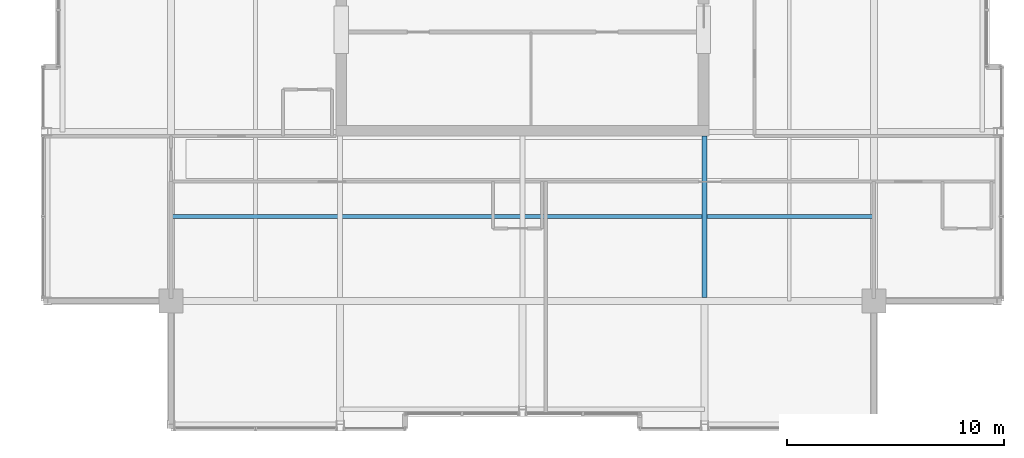
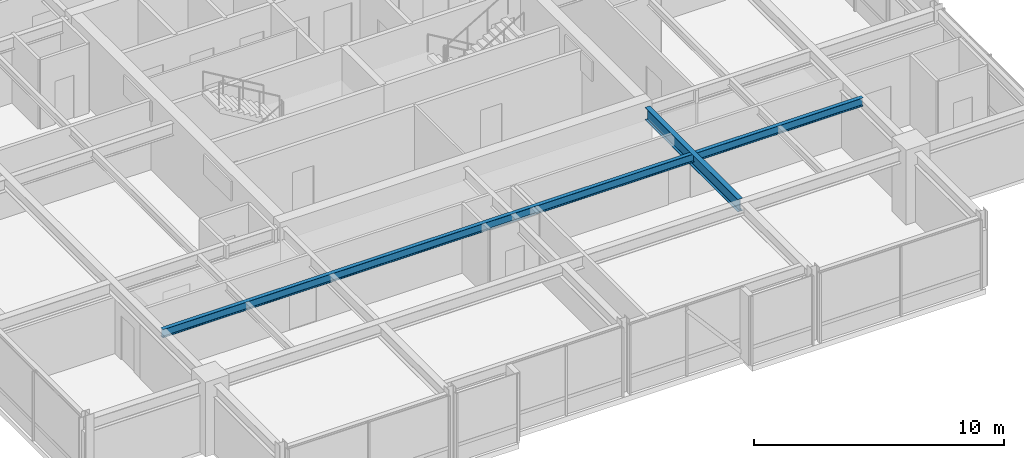
# One storey, part 10 of 33: 2 beams.
"""IFC4 building model written with IfcOpenShell, lengths in metres."""

from ifc_helpers import new_model, si_unit, direction, frame, origin, origin_2d, place, context, subcontext, project, spatial, i_section, extrude, material, material_profile, profile_set, type_object, element, save


model = new_model("IFC4")

# Units and contexts
model_context = context("Model", 3, precision=1e-05, world=origin(), true_north=direction((0.0, 1.0)))
body_context = subcontext(model_context, "Body", "Model", "MODEL_VIEW")
ifc_project = project(units=[si_unit("LENGTHUNIT", "METRE"), si_unit("AREAUNIT", "SQUARE_METRE"), si_unit("VOLUMEUNIT", "CUBIC_METRE"), si_unit("PLANEANGLEUNIT", "RADIAN"), si_unit("MASSUNIT", "GRAM", prefix="KILO")], contexts=[model_context])

# Site, building, storey
site_placement = place(None, origin())
site = spatial("IfcSite", under=ifc_project, at=site_placement, CompositionType="ELEMENT")
building_placement = place(site_placement, origin())
building = spatial("IfcBuilding", under=site, at=building_placement, Name="Drelvath Grand Hotel", CompositionType="ELEMENT")
storey_placement = place(building_placement, frame((0.0, 0.0, 279.60009765625)))
storey = spatial("IfcBuildingStorey", under=building, at=storey_placement, Name="L73", CompositionType="ELEMENT", Elevation=279.60009765625)

# Beams
ifc_material = material(Name="Steel ASTM A992 Gr 50", Category="steel")
ifc_material_profile_1 = material_profile(ifc_material, i_section(OverallWidth=0.177734375, OverallDepth=0.40673828125, WebThickness=0.0078125, FlangeThickness=0.0126953125, FilletRadius=0.014892578125, at=origin_2d()), Name="W16X40")
ifc_profile_set_1 = profile_set([ifc_material_profile_1], Name="Steel ASTM A992 Gr 50")
beam_type_1 = type_object("IfcBeamType", Name="Composite Floor Joist W16X40", PredefinedType="JOIST", material=ifc_profile_set_1)
beam_1_placement = place(storey_placement, frame((-16.199951171875, 14.699951171875, 3.1865234375), z_axis=(1.0, 0.0, 0.0), x_axis=(0.0, 1.0, 0.0)))
element("IfcBeam", 1, at=beam_1_placement, inside=storey, type_object=beam_type_1, Name="L73 Floor Joist J1", PredefinedType="JOIST", context=body_context, shape_type="SweptSolid", body=[
    extrude(i_section(OverallWidth=0.177734375, OverallDepth=0.40673828125, WebThickness=0.0078125, FlangeThickness=0.0126953125, FilletRadius=0.014892578125, at=origin_2d()), origin(), (0.0, 0.0, 1.0), 32.39990234375),
])
ifc_material_profile_2 = material_profile(ifc_material, i_section(OverallWidth=0.228271484375, OverallDepth=0.607666015625, WebThickness=0.01123046875, FlangeThickness=0.017333984375, FilletRadius=0.02001953125, at=origin_2d()), Name="W24X76")
ifc_profile_set_2 = profile_set([ifc_material_profile_2], Name="Steel ASTM A992 Gr 50")
beam_type_2 = type_object("IfcBeamType", Name="Primary Floor Girder W24X76", PredefinedType="BEAM", material=ifc_profile_set_2)
beam_2_placement = place(storey_placement, frame((8.39990234375, 10.9619140625, 3.086181640625), z_axis=(0.0, 1.0, 0.0), x_axis=(-1.0, 0.0, 0.0)))
element("IfcBeam", 2, at=beam_2_placement, inside=storey, type_object=beam_type_2, Name="L73 South Core Tie 6", PredefinedType="BEAM", context=body_context, shape_type="SweptSolid", body=[
    extrude(i_section(OverallWidth=0.228271484375, OverallDepth=0.607666015625, WebThickness=0.01123046875, FlangeThickness=0.017333984375, FilletRadius=0.02001953125, at=origin_2d()), origin(), (0.0, 0.0, 1.0), 7.43798828125),
])

save(model, "model.ifc")
